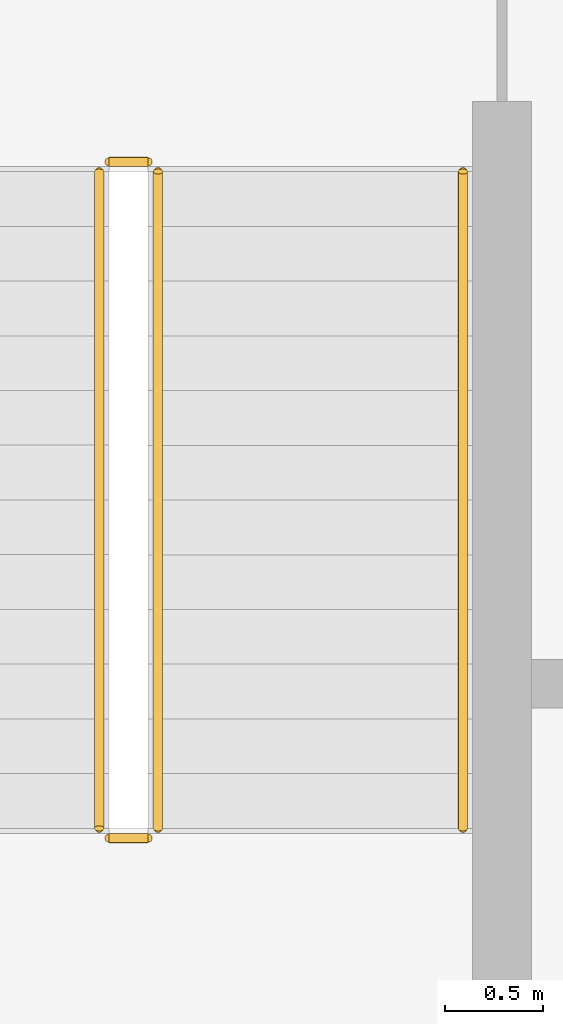
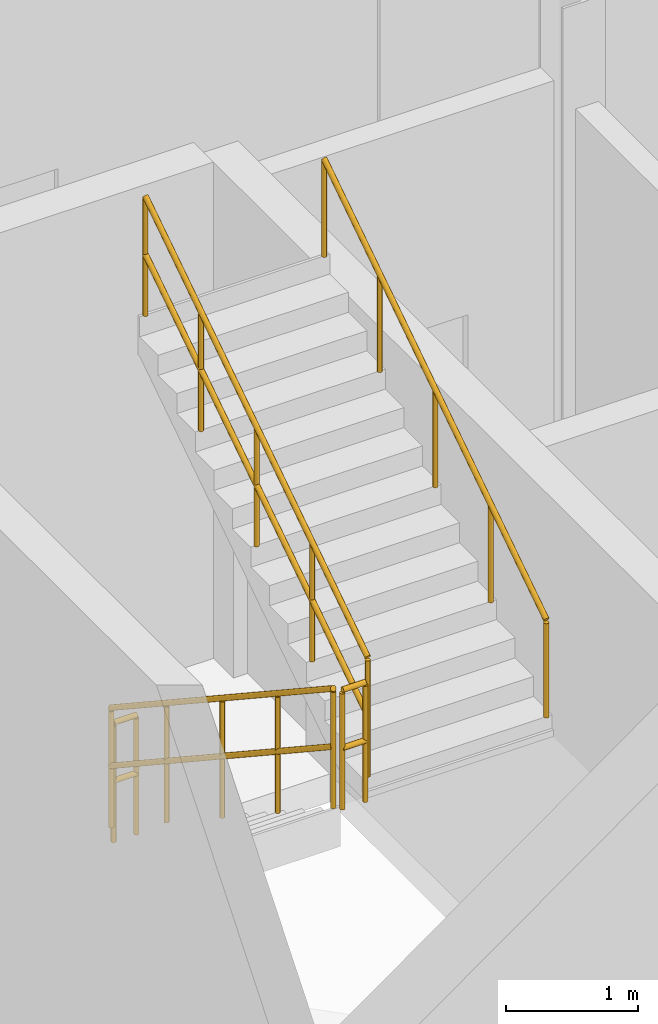
# One storey, part 42 of 45: 5 railings.
"""IFC4 building model written with IfcOpenShell, lengths in metres."""

from ifc_helpers import new_model, si_unit, direction, frame, origin, origin_2d, place, context, subcontext, project, spatial, circle, extrude, material, type_object, element, save


model = new_model("IFC4")

# Units and contexts
model_context = context("Model", 3, precision=1e-05, world=origin(), true_north=direction((0.0, 1.0)))
body_context = subcontext(model_context, "Body", "Model", "MODEL_VIEW")
ifc_project = project(units=[si_unit("LENGTHUNIT", "METRE"), si_unit("AREAUNIT", "SQUARE_METRE"), si_unit("VOLUMEUNIT", "CUBIC_METRE"), si_unit("PLANEANGLEUNIT", "RADIAN"), si_unit("MASSUNIT", "GRAM", prefix="KILO")], contexts=[model_context])

# Site, building, storey
site_placement = place(None, origin())
site = spatial("IfcSite", under=ifc_project, at=site_placement, CompositionType="ELEMENT")
building_placement = place(site_placement, origin())
building = spatial("IfcBuilding", under=site, at=building_placement, Name="Calvrana Isthmian Art Gallery", CompositionType="ELEMENT")
storey_placement = place(building_placement, frame((0.0, 0.0, 19.800048828125)))
storey = spatial("IfcBuildingStorey", under=building, at=storey_placement, Name="L04", CompositionType="ELEMENT", Elevation=19.800048828125)

# Railings
ifc_material = material(Name="Stainless steel 316", Category="steel")
railing_type_1 = type_object("IfcRailingType", Name="RL-GUARD-1120", PredefinedType="BALUSTRADE", material=ifc_material)
railing_1_placement = place(storey_placement, frame((129.159912109375, 36.300048828125, 0.1845703125)))
element("IfcRailing", 1, at=railing_1_placement, inside=storey, type_object=railing_type_1, Name="Stair ST-4 guard L04-1", PredefinedType="BALUSTRADE", context=body_context, shape_type="SweptSolid", body=[
    extrude(circle(Radius=0.02392578125, at=origin_2d()), frame((0.0, 0.0, 1.09619140625), z_axis=(0.0, -0.834876476806, 0.550437342915), x_axis=(1.0, 0.0, 0.0)), (0.0, 0.0, 1.0), 4.024658203125),
    extrude(circle(Radius=0.02392578125, at=origin_2d()), frame((0.0, 0.0, 0.56005859375), z_axis=(0.0, -0.834876476806, 0.550437342915), x_axis=(1.0, 0.0, 0.0)), (0.0, 0.0, 1.0), 4.024658203125),
    extrude(circle(Radius=0.02099609375, at=origin_2d()), origin(), (0.0, 0.0, 1.0), 1.072021484375),
    extrude(circle(Radius=0.02099609375, at=origin_2d()), frame((0.0, -0.840087890625, 0.5537109375)), (0.0, 0.0, 1.0), 1.072021484375),
    extrude(circle(Radius=0.02099609375, at=origin_2d()), frame((0.0, -1.68017578125, 1.107666015625)), (0.0, 0.0, 1.0), 1.072021484375),
    extrude(circle(Radius=0.02099609375, at=origin_2d()), frame((0.0, -2.52001953125, 1.66162109375)), (0.0, 0.0, 1.0), 1.072021484375),
    extrude(circle(Radius=0.02099609375, at=origin_2d()), frame((0.0, -3.360107421875, 2.21533203125)), (0.0, 0.0, 1.0), 1.072021484375),
])
railing_2_placement = place(storey_placement, frame((129.2099609375, 32.889892578125, 2.39990234375)))
element("IfcRailing", 2, at=railing_2_placement, inside=storey, type_object=railing_type_1, Name="Stair ST-4 guard L04-2", PredefinedType="BALUSTRADE", context=body_context, shape_type="SweptSolid", body=[
    extrude(circle(Radius=0.02392578125, at=origin_2d()), frame((0.0, 0.0, 1.09619140625), z_axis=(1.0, 0.0, 0.0), x_axis=(0.0, 1.0, 0.0)), (0.0, 0.0, 1.0), 0.199951171875),
    extrude(circle(Radius=0.02392578125, at=origin_2d()), frame((0.0, 0.0, 0.56005859375), z_axis=(1.0, 0.0, 0.0), x_axis=(0.0, 1.0, 0.0)), (0.0, 0.0, 1.0), 0.199951171875),
    extrude(circle(Radius=0.02099609375, at=origin_2d()), origin(), (0.0, 0.0, 1.0), 1.072021484375),
    extrude(circle(Radius=0.02099609375, at=origin_2d()), frame((0.199951171875, 0.0, 0.0)), (0.0, 0.0, 1.0), 1.072021484375),
])
railing_3_placement = place(storey_placement, frame((129.4599609375, 32.93994140625, 2.58447265625)))
element("IfcRailing", 3, at=railing_3_placement, inside=storey, type_object=railing_type_1, Name="Stair ST-4 guard L04-3", PredefinedType="BALUSTRADE", context=body_context, shape_type="SweptSolid", body=[
    extrude(circle(Radius=0.02392578125, at=origin_2d()), frame((0.0, 0.0, 1.09619140625), z_axis=(0.0, 0.834848600103, 0.550479622607), x_axis=(-1.0, 0.0, 0.0)), (0.0, 0.0, 1.0), 4.02490234375),
    extrude(circle(Radius=0.02392578125, at=origin_2d()), frame((0.0, 0.0, 0.56005859375), z_axis=(0.0, 0.834848600103, 0.550479622607), x_axis=(-1.0, 0.0, 0.0)), (0.0, 0.0, 1.0), 4.02490234375),
    extrude(circle(Radius=0.02099609375, at=origin_2d()), origin(), (0.0, 0.0, 1.0), 1.072021484375),
    extrude(circle(Radius=0.02099609375, at=origin_2d()), frame((0.0, 0.840087890625, 0.553955078125)), (0.0, 0.0, 1.0), 1.072021484375),
    extrude(circle(Radius=0.02099609375, at=origin_2d()), frame((0.0, 1.68017578125, 1.10791015625)), (0.0, 0.0, 1.0), 1.072021484375),
    extrude(circle(Radius=0.02099609375, at=origin_2d()), frame((0.0, 2.52001953125, 1.66162109375)), (0.0, 0.0, 1.0), 1.072021484375),
    extrude(circle(Radius=0.02099609375, at=origin_2d()), frame((0.0, 3.360107421875, 2.215576171875)), (0.0, 0.0, 1.0), 1.072021484375),
])
railing_4_placement = place(storey_placement, frame((129.2099609375, 36.35009765625, 0.0)))
element("IfcRailing", 4, at=railing_4_placement, inside=storey, type_object=railing_type_1, Name="Stair ST-4 guard L04-4", PredefinedType="BALUSTRADE", context=body_context, shape_type="SweptSolid", body=[
    extrude(circle(Radius=0.02392578125, at=origin_2d()), frame((0.0, 0.0, 1.09619140625), z_axis=(1.0, 0.0, 0.0), x_axis=(0.0, 1.0, 0.0)), (0.0, 0.0, 1.0), 0.199951171875),
    extrude(circle(Radius=0.02392578125, at=origin_2d()), frame((0.0, 0.0, 0.56005859375), z_axis=(1.0, 0.0, 0.0), x_axis=(0.0, 1.0, 0.0)), (0.0, 0.0, 1.0), 0.199951171875),
    extrude(circle(Radius=0.02099609375, at=origin_2d()), origin(), (0.0, 0.0, 1.0), 1.072021484375),
    extrude(circle(Radius=0.02099609375, at=origin_2d()), frame((0.199951171875, 0.0, 0.0)), (0.0, 0.0, 1.0), 1.072021484375),
])
railing_type_2 = type_object("IfcRailingType", Name="RL-HAND-920", PredefinedType="HANDRAIL", material=ifc_material)
railing_5_placement = place(storey_placement, frame((131.02001953125, 32.93994140625, 2.58447265625)))
element("IfcRailing", 5, at=railing_5_placement, inside=storey, type_object=railing_type_2, Name="Stair ST-4 handrail L04-2", PredefinedType="HANDRAIL", context=body_context, shape_type="SweptSolid", body=[
    extrude(circle(Radius=0.02392578125, at=origin_2d()), frame((0.0, 0.0, 0.89599609375), z_axis=(0.0, 0.834848600103, 0.550479622607), x_axis=(-1.0, 0.0, 0.0)), (0.0, 0.0, 1.0), 4.02490234375),
    extrude(circle(Radius=0.02099609375, at=origin_2d()), origin(), (0.0, 0.0, 1.0), 0.871826171875),
    extrude(circle(Radius=0.02099609375, at=origin_2d()), frame((0.0, 0.840087890625, 0.553955078125)), (0.0, 0.0, 1.0), 0.871826171875),
    extrude(circle(Radius=0.02099609375, at=origin_2d()), frame((0.0, 1.68017578125, 1.10791015625)), (0.0, 0.0, 1.0), 0.871826171875),
    extrude(circle(Radius=0.02099609375, at=origin_2d()), frame((0.0, 2.52001953125, 1.66162109375)), (0.0, 0.0, 1.0), 0.871826171875),
    extrude(circle(Radius=0.02099609375, at=origin_2d()), frame((0.0, 3.360107421875, 2.215576171875)), (0.0, 0.0, 1.0), 0.871826171875),
])

save(model, "model.ifc")
